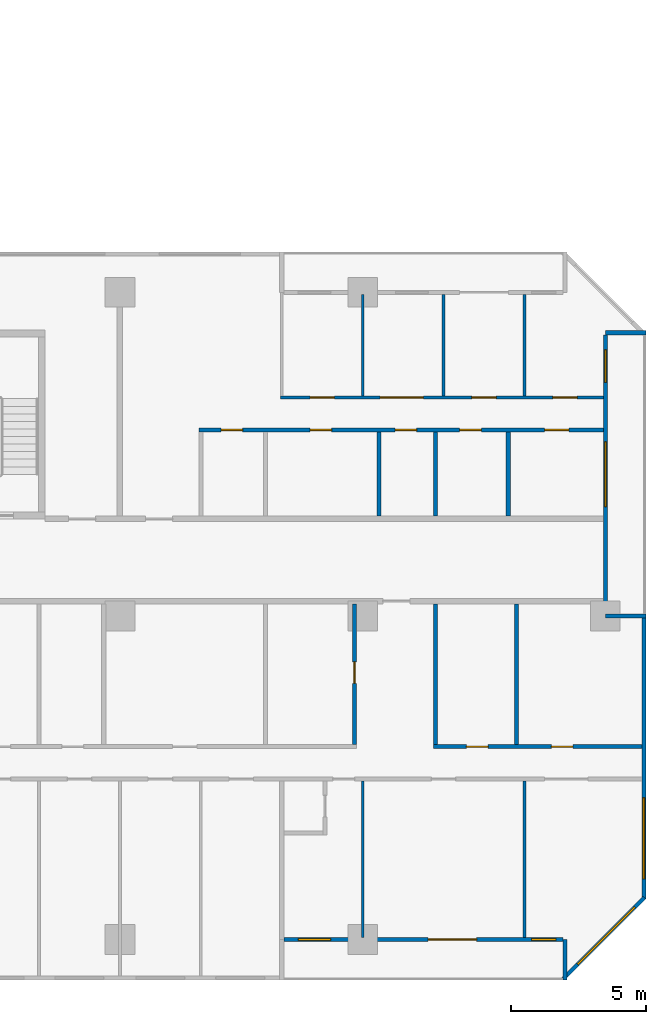
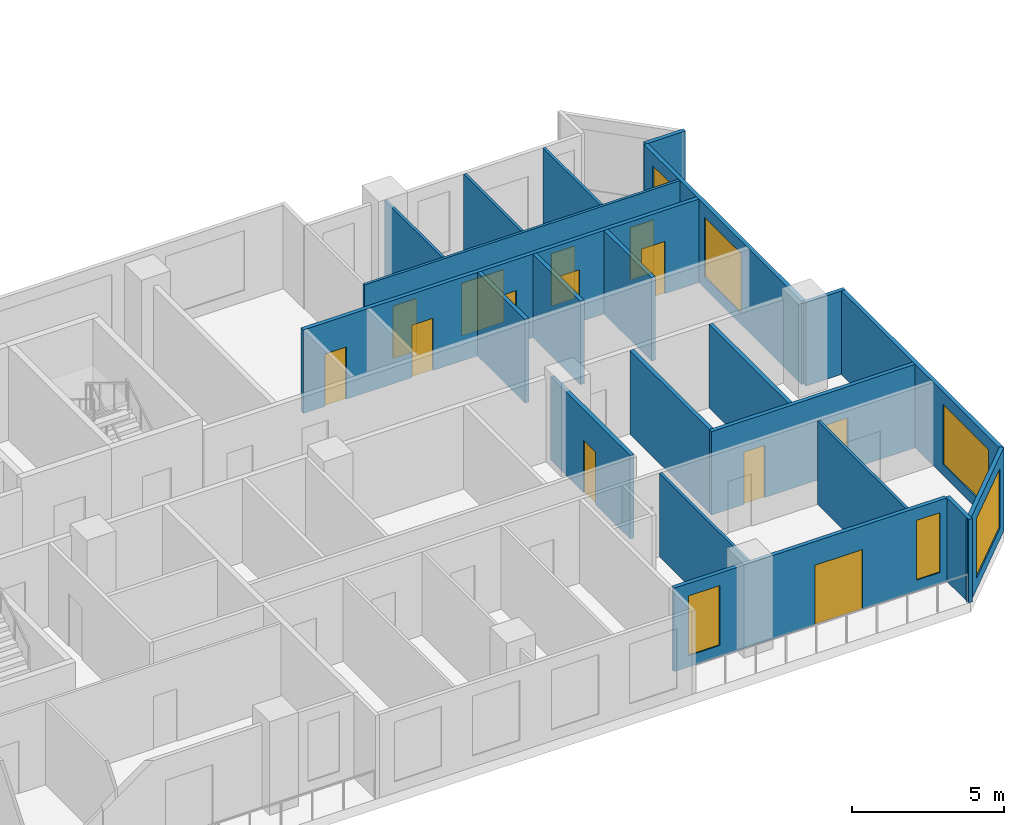
# One storey, part 12 of 16: 21 walls, 13 doors, 6 windows, 19 openings.
"""IFC4 building model written with IfcOpenShell, lengths in metres."""

from ifc_helpers import new_model, si_unit, direction, frame, frame_2d, origin, place, context, subcontext, project, spatial, rectangle, extrude, material, layer, layer_set, type_object, element, fill, save


model = new_model("IFC4")

# Units and contexts
model_context = context("Model", 3, precision=1e-05, world=origin(), true_north=direction((0.0, 1.0)))
body_context = subcontext(model_context, "Body", "Model", "MODEL_VIEW")
ifc_project = project(units=[si_unit("LENGTHUNIT", "METRE"), si_unit("AREAUNIT", "SQUARE_METRE"), si_unit("VOLUMEUNIT", "CUBIC_METRE"), si_unit("PLANEANGLEUNIT", "RADIAN"), si_unit("MASSUNIT", "GRAM", prefix="KILO")], contexts=[model_context])

# Site, building, storey
site_placement = place(None, origin())
site = spatial("IfcSite", under=ifc_project, at=site_placement, CompositionType="ELEMENT")
building_placement = place(site_placement, origin())
building = spatial("IfcBuilding", under=site, at=building_placement, Name="Chenar Terraces", CompositionType="ELEMENT")
storey_placement = place(building_placement, frame((0.0, 0.0, 75.14990234375)))
storey = spatial("IfcBuildingStorey", under=building, at=storey_placement, Name="L16", CompositionType="ELEMENT", Elevation=75.14990234375)

# Wall, opening, window
ifc_material_1 = material(Name="Aluminium framed glazing", Category="aluminium")
ifc_layer_1 = layer(ifc_material_1, 0.14990234375)
ifc_layer_set_1 = layer_set([ifc_layer_1], Name="Aluminium framed glazing")
wall_type_1 = type_object("IfcWallType", Name="Glazed flush facade wall 150", PredefinedType="SOLIDWALL", material=ifc_layer_set_1)
wall_1_placement = place(storey_placement, frame((73.425048828125, 1.5, 0.0), z_axis=(0.0, 0.0, 1.0), x_axis=(0.0, 1.0, 0.0)))
wall_1 = element("IfcWall", 1, at=wall_1_placement, inside=storey, type_object=wall_type_1, Name="Glazed flush facade wall", PredefinedType="SOLIDWALL", context=body_context, shape_type="SweptSolid", body=[
    extrude(rectangle(XDim=10.425048828125, YDim=0.14990234375, at=frame_2d((5.21240234375, 0.0))), origin(), (0.0, 0.0, 1.0), 3.35009765625),
])
opening_1_placement = place(wall_1_placement, frame((0.75, 0.0, 0.449951171875)))
opening_1 = element("IfcOpeningElement", 2, at=opening_1_placement, cuts=wall_1, Name="Opening W300x240", PredefinedType="OPENING", context=body_context, shape_type="SweptSolid", body=[
    extrude(rectangle(XDim=3.0, YDim=2.39990234375, at=frame_2d((1.5, 1.199951171875))), frame((0.0, 0.0849609375, 0.0), z_axis=(0.0, -1.0, 0.0), x_axis=(1.0, 0.0, 0.0)), (0.0, 0.0, 1.0), 0.169921875),
])
ifc_material_2 = material(Name="Low emissivity double glazing, aluminium frame", Category="aluminium")
window_type_1 = type_object("IfcWindowType", Name="Fixed light 3000 x 2400", PartitioningType="SINGLE_PANEL", PredefinedType="WINDOW", material=ifc_material_2)
window_1_placement = place(opening_1_placement, origin())
window_1 = element("IfcWindow", 3, at=window_1_placement, inside=storey, type_object=window_type_1, Name="Window", OverallHeight=2.39990234375, OverallWidth=3.0, PartitioningType="SINGLE_PANEL", PredefinedType="WINDOW", context=body_context, shape_type="SweptSolid", body=[
    extrude(rectangle(XDim=3.0, YDim=2.39990234375, at=frame_2d((1.5, 1.199951171875))), frame((0.0, 0.030029296875, 0.0), z_axis=(0.0, -1.0, 0.0), x_axis=(1.0, 0.0, 0.0)), (0.0, 0.0, 1.0), 0.06005859375),
])
fill(opening_1, window_1)

# Wall, openings, windows, door
ifc_material_3 = material(Name="Aluminium framed glazing", Category="aluminium")
ifc_layer_2 = layer(ifc_material_3, 0.14990234375)
ifc_layer_set_2 = layer_set([ifc_layer_2], Name="Aluminium framed glazing")
wall_type_2 = type_object("IfcWallType", Name="Glazed loggia back wall 150", PredefinedType="SOLIDWALL", material=ifc_layer_set_2)
wall_2_placement = place(storey_placement, frame((60.074951171875, 0.0, 0.0), z_axis=(0.0, 0.0, 1.0), x_axis=(1.0, 0.0, 0.0)))
wall_2 = element("IfcWall", 4, at=wall_2_placement, inside=storey, type_object=wall_type_2, Name="Glazed loggia back wall", PredefinedType="SOLIDWALL", context=body_context, shape_type="SweptSolid", body=[
    extrude(rectangle(XDim=10.35009765625, YDim=0.14990234375, at=frame_2d((5.175048828125, 0.0))), origin(), (0.0, 0.0, 1.0), 3.35009765625),
])
opening_2_placement = place(wall_2_placement, frame((0.53759765625, 0.0, 0.449951171875)))
opening_2 = element("IfcOpeningElement", 5, at=opening_2_placement, cuts=wall_2, Name="Opening W120x240", PredefinedType="OPENING", context=body_context, shape_type="SweptSolid", body=[
    extrude(rectangle(XDim=1.199951171875, YDim=2.39990234375, at=frame_2d((0.60009765625, 1.199951171875))), frame((0.0, 0.0849609375, 0.0), z_axis=(0.0, -1.0, 0.0), x_axis=(1.0, 0.0, 0.0)), (0.0, 0.0, 1.0), 0.169921875),
])
opening_3_placement = place(wall_2_placement, frame((5.35009765625, 0.0, 0.0)))
opening_3 = element("IfcOpeningElement", 6, at=opening_3_placement, cuts=wall_2, Name="Opening DL16-G7", PredefinedType="OPENING", context=body_context, shape_type="SweptSolid", body=[
    extrude(rectangle(XDim=1.800048828125, YDim=2.39990234375, at=frame_2d((0.89990234375, 1.199951171875))), frame((0.0, 0.0849609375, 0.0), z_axis=(0.0, -1.0, 0.0), x_axis=(1.0, 0.0, 0.0)), (0.0, 0.0, 1.0), 0.169921875),
])
opening_4_placement = place(wall_2_placement, frame((9.1875, 0.0, 0.449951171875)))
opening_4 = element("IfcOpeningElement", 7, at=opening_4_placement, cuts=wall_2, Name="Opening W90x240", PredefinedType="OPENING", context=body_context, shape_type="SweptSolid", body=[
    extrude(rectangle(XDim=0.89990234375, YDim=2.39990234375, at=frame_2d((0.449951171875, 1.199951171875))), frame((0.0, 0.0849609375, 0.0), z_axis=(0.0, -1.0, 0.0), x_axis=(1.0, 0.0, 0.0)), (0.0, 0.0, 1.0), 0.169921875),
])
ifc_material_4 = material(Name="Low emissivity double glazing, aluminium frame", Category="aluminium")
window_type_2 = type_object("IfcWindowType", Name="Fixed light 1200 x 2400", PartitioningType="SINGLE_PANEL", PredefinedType="WINDOW", material=ifc_material_4)
window_2_placement = place(opening_2_placement, origin())
window_2 = element("IfcWindow", 8, at=window_2_placement, inside=storey, type_object=window_type_2, Name="Window", OverallHeight=2.39990234375, OverallWidth=1.199951171875, PartitioningType="SINGLE_PANEL", PredefinedType="WINDOW", context=body_context, shape_type="SweptSolid", body=[
    extrude(rectangle(XDim=1.199951171875, YDim=2.39990234375, at=frame_2d((0.60009765625, 1.199951171875))), frame((0.0, 0.030029296875, 0.0), z_axis=(0.0, -1.0, 0.0), x_axis=(1.0, 0.0, 0.0)), (0.0, 0.0, 1.0), 0.06005859375),
])
fill(opening_2, window_2)
ifc_material_5 = material(Name="Low emissivity double glazing, aluminium frame", Category="aluminium")
window_type_3 = type_object("IfcWindowType", Name="Fixed light 900 x 2400", PartitioningType="SINGLE_PANEL", PredefinedType="WINDOW", material=ifc_material_5)
window_3_placement = place(opening_4_placement, origin())
window_3 = element("IfcWindow", 9, at=window_3_placement, inside=storey, type_object=window_type_3, Name="Window", OverallHeight=2.39990234375, OverallWidth=0.89990234375, PartitioningType="SINGLE_PANEL", PredefinedType="WINDOW", context=body_context, shape_type="SweptSolid", body=[
    extrude(rectangle(XDim=0.89990234375, YDim=2.39990234375, at=frame_2d((0.449951171875, 1.199951171875))), frame((0.0, 0.030029296875, 0.0), z_axis=(0.0, -1.0, 0.0), x_axis=(1.0, 0.0, 0.0)), (0.0, 0.0, 1.0), 0.06005859375),
])
fill(opening_4, window_3)
ifc_material_6 = material(Name="Low emissivity double glazing, aluminium frame", Category="aluminium")
door_type_1 = type_object("IfcDoorType", Name="Loggia glazed double door 1800 x 2400", OperationType="DOUBLE_DOOR_SINGLE_SWING", PredefinedType="DOOR", material=ifc_material_6)
door_1_placement = place(opening_3_placement, frame((1.800048828125, 0.0, 0.0), z_axis=(0.0, 0.0, 1.0), x_axis=(-1.0, 0.0, 0.0)))
door_1 = element("IfcDoor", 10, at=door_1_placement, inside=storey, type_object=door_type_1, Name="Loggia glazed door", OperationType="DOUBLE_DOOR_SINGLE_SWING", OverallHeight=2.39990234375, OverallWidth=1.800048828125, PredefinedType="DOOR", context=body_context, shape_type="SweptSolid", body=[
    extrude(rectangle(XDim=1.800048828125, YDim=2.39990234375, at=frame_2d((0.89990234375, 1.199951171875))), frame((0.0, 0.02490234375, 0.0), z_axis=(0.0, -1.0, 0.0), x_axis=(1.0, 0.0, 0.0)), (0.0, 0.0, 1.0), 0.050048828125),
])
fill(opening_3, door_1)

# Wall, openings, windows
wall_3_placement = place(storey_placement, frame((72.0, 12.074951171875, 0.0), z_axis=(0.0, 0.0, 1.0), x_axis=(0.0, 1.0, 0.0)))
wall_3 = element("IfcWall", 11, at=wall_3_placement, inside=storey, type_object=wall_type_2, Name="Glazed loggia back wall", PredefinedType="SOLIDWALL", context=body_context, shape_type="SweptSolid", body=[
    extrude(rectangle(XDim=10.35009765625, YDim=0.14990234375, at=frame_2d((5.175048828125, 0.0))), origin(), (0.0, 0.0, 1.0), 3.35009765625),
])
opening_5_placement = place(wall_3_placement, frame((3.97509765625, 0.0, 0.449951171875)))
opening_5 = element("IfcOpeningElement", 12, at=opening_5_placement, cuts=wall_3, Name="Opening W240x240", PredefinedType="OPENING", context=body_context, shape_type="SweptSolid", body=[
    extrude(rectangle(XDim=2.39990234375, YDim=2.39990234375, at=frame_2d((1.199951171875, 1.199951171875))), frame((0.0, 0.0849609375, 0.0), z_axis=(0.0, -1.0, 0.0), x_axis=(1.0, 0.0, 0.0)), (0.0, 0.0, 1.0), 0.169921875),
])
opening_6_placement = place(wall_3_placement, frame((8.58740234375, 0.0, 0.449951171875)))
opening_6 = element("IfcOpeningElement", 13, at=opening_6_placement, cuts=wall_3, Name="Opening W120x240", PredefinedType="OPENING", context=body_context, shape_type="SweptSolid", body=[
    extrude(rectangle(XDim=1.199951171875, YDim=2.39990234375, at=frame_2d((0.60009765625, 1.199951171875))), frame((0.0, 0.0849609375, 0.0), z_axis=(0.0, -1.0, 0.0), x_axis=(1.0, 0.0, 0.0)), (0.0, 0.0, 1.0), 0.169921875),
])
window_4_placement = place(opening_6_placement, origin())
window_4 = element("IfcWindow", 14, at=window_4_placement, inside=storey, type_object=window_type_2, Name="Window", OverallHeight=2.39990234375, OverallWidth=1.199951171875, PartitioningType="SINGLE_PANEL", PredefinedType="WINDOW", context=body_context, shape_type="SweptSolid", body=[
    extrude(rectangle(XDim=1.199951171875, YDim=2.39990234375, at=frame_2d((0.60009765625, 1.199951171875))), frame((0.0, 0.030029296875, 0.0), z_axis=(0.0, -1.0, 0.0), x_axis=(1.0, 0.0, 0.0)), (0.0, 0.0, 1.0), 0.06005859375),
])
fill(opening_6, window_4)
ifc_material_7 = material(Name="Low emissivity double glazing, aluminium frame", Category="aluminium")
window_type_4 = type_object("IfcWindowType", Name="Fixed light 2400 x 2400", PartitioningType="SINGLE_PANEL", PredefinedType="WINDOW", material=ifc_material_7)
window_5_placement = place(opening_5_placement, origin())
window_5 = element("IfcWindow", 15, at=window_5_placement, inside=storey, type_object=window_type_4, Name="Window", OverallHeight=2.39990234375, OverallWidth=2.39990234375, PartitioningType="SINGLE_PANEL", PredefinedType="WINDOW", context=body_context, shape_type="SweptSolid", body=[
    extrude(rectangle(XDim=2.39990234375, YDim=2.39990234375, at=frame_2d((1.199951171875, 1.199951171875))), frame((0.0, 0.030029296875, 0.0), z_axis=(0.0, -1.0, 0.0), x_axis=(1.0, 0.0, 0.0)), (0.0, 0.0, 1.0), 0.06005859375),
])
fill(opening_5, window_5)

# Wall, openings, doors
ifc_material_8 = material(Name="Gypsum board on steel studs", Category="steel")
ifc_layer_3 = layer(ifc_material_8, 0.10009765625)
ifc_layer_set_3 = layer_set([ifc_layer_3], Name="Gypsum board on steel studs")
wall_type_3 = type_object("IfcWallType", Name="Gypsum partition 100", PredefinedType="PARTITIONING", material=ifc_layer_set_3)
wall_4_placement = place(storey_placement, frame((59.949951171875, 20.10009765625, 0.0), z_axis=(0.0, 0.0, 1.0), x_axis=(1.0, 0.0, 0.0)))
wall_4 = element("IfcWall", 16, at=wall_4_placement, inside=storey, type_object=wall_type_3, Name="Partition L16-088", PredefinedType="PARTITIONING", context=body_context, shape_type="SweptSolid", body=[
    extrude(rectangle(XDim=11.97607421875, YDim=0.10009765625, at=frame_2d((5.988037109375, 0.0))), origin(), (0.0, 0.0, 1.0), 3.35009765625),
])
opening_7_placement = place(wall_4_placement, frame((1.10009765625, 0.0, 0.0)))
opening_7 = element("IfcOpeningElement", 17, at=opening_7_placement, cuts=wall_4, Name="Opening DL16-5", PredefinedType="OPENING", context=body_context, shape_type="SweptSolid", body=[
    extrude(rectangle(XDim=0.89990234375, YDim=2.10009765625, at=frame_2d((0.449951171875, 1.050048828125))), frame((0.0, 0.06005859375, 0.0), z_axis=(0.0, -1.0, 0.0), x_axis=(1.0, 0.0, 0.0)), (0.0, 0.0, 1.0), 0.1201171875),
])
opening_8_placement = place(wall_4_placement, frame((7.10009765625, 0.0, 0.0)))
opening_8 = element("IfcOpeningElement", 18, at=opening_8_placement, cuts=wall_4, Name="Opening DL16-6", PredefinedType="OPENING", context=body_context, shape_type="SweptSolid", body=[
    extrude(rectangle(XDim=0.89990234375, YDim=2.10009765625, at=frame_2d((0.449951171875, 1.050048828125))), frame((0.0, 0.06005859375, 0.0), z_axis=(0.0, -1.0, 0.0), x_axis=(1.0, 0.0, 0.0)), (0.0, 0.0, 1.0), 0.1201171875),
])
opening_9_placement = place(wall_4_placement, frame((10.10009765625, 0.0, 0.0)))
opening_9 = element("IfcOpeningElement", 19, at=opening_9_placement, cuts=wall_4, Name="Opening DL16-7", PredefinedType="OPENING", context=body_context, shape_type="SweptSolid", body=[
    extrude(rectangle(XDim=0.89990234375, YDim=2.10009765625, at=frame_2d((0.449951171875, 1.050048828125))), frame((0.0, 0.06005859375, 0.0), z_axis=(0.0, -1.0, 0.0), x_axis=(1.0, 0.0, 0.0)), (0.0, 0.0, 1.0), 0.1201171875),
])
opening_10_placement = place(wall_4_placement, frame((3.699951171875, 0.0, 0.0)))
opening_10 = element("IfcOpeningElement", 20, at=opening_10_placement, cuts=wall_4, Name="Opening DL16-11", PredefinedType="OPENING", context=body_context, shape_type="SweptSolid", body=[
    extrude(rectangle(XDim=1.60009765625, YDim=2.10009765625, at=frame_2d((0.800048828125, 1.050048828125))), frame((0.0, 0.06005859375, 0.0), z_axis=(0.0, -1.0, 0.0), x_axis=(1.0, 0.0, 0.0)), (0.0, 0.0, 1.0), 0.1201171875),
])
ifc_material_9 = material(Name="Veneered timber door leaf", Category="wood")
door_type_2 = type_object("IfcDoorType", Name="Door 900 x 2100", OperationType="SINGLE_SWING_LEFT", PredefinedType="DOOR", material=ifc_material_9)
door_2_placement = place(opening_7_placement, origin())
door_2 = element("IfcDoor", 21, at=door_2_placement, inside=storey, type_object=door_type_2, Name="Door DL16-5", OperationType="SINGLE_SWING_LEFT", OverallHeight=2.10009765625, OverallWidth=0.89990234375, PredefinedType="DOOR", context=body_context, shape_type="SweptSolid", body=[
    extrude(rectangle(XDim=0.89990234375, YDim=2.10009765625, at=frame_2d((0.449951171875, 1.050048828125))), frame((0.0, 0.02490234375, 0.0), z_axis=(0.0, -1.0, 0.0), x_axis=(1.0, 0.0, 0.0)), (0.0, 0.0, 1.0), 0.050048828125),
])
fill(opening_7, door_2)
door_3_placement = place(opening_8_placement, origin())
door_3 = element("IfcDoor", 22, at=door_3_placement, inside=storey, type_object=door_type_2, Name="Door DL16-6", OperationType="SINGLE_SWING_LEFT", OverallHeight=2.10009765625, OverallWidth=0.89990234375, PredefinedType="DOOR", context=body_context, shape_type="SweptSolid", body=[
    extrude(rectangle(XDim=0.89990234375, YDim=2.10009765625, at=frame_2d((0.449951171875, 1.050048828125))), frame((0.0, 0.02490234375, 0.0), z_axis=(0.0, -1.0, 0.0), x_axis=(1.0, 0.0, 0.0)), (0.0, 0.0, 1.0), 0.050048828125),
])
fill(opening_8, door_3)
door_4_placement = place(opening_9_placement, origin())
door_4 = element("IfcDoor", 23, at=door_4_placement, inside=storey, type_object=door_type_2, Name="Door DL16-7", OperationType="SINGLE_SWING_LEFT", OverallHeight=2.10009765625, OverallWidth=0.89990234375, PredefinedType="DOOR", context=body_context, shape_type="SweptSolid", body=[
    extrude(rectangle(XDim=0.89990234375, YDim=2.10009765625, at=frame_2d((0.449951171875, 1.050048828125))), frame((0.0, 0.02490234375, 0.0), z_axis=(0.0, -1.0, 0.0), x_axis=(1.0, 0.0, 0.0)), (0.0, 0.0, 1.0), 0.050048828125),
])
fill(opening_9, door_4)
ifc_material_10 = material(Name="Veneered timber door leaf", Category="wood")
door_type_3 = type_object("IfcDoorType", Name="Double door 1600 x 2100", OperationType="DOUBLE_DOOR_SINGLE_SWING", PredefinedType="DOOR", material=ifc_material_10)
door_5_placement = place(opening_10_placement, origin())
door_5 = element("IfcDoor", 24, at=door_5_placement, inside=storey, type_object=door_type_3, Name="Door DL16-11", OperationType="DOUBLE_DOOR_SINGLE_SWING", OverallHeight=2.10009765625, OverallWidth=1.60009765625, PredefinedType="DOOR", context=body_context, shape_type="SweptSolid", body=[
    extrude(rectangle(XDim=1.60009765625, YDim=2.10009765625, at=frame_2d((0.800048828125, 1.050048828125))), frame((0.0, 0.02490234375, 0.0), z_axis=(0.0, -1.0, 0.0), x_axis=(1.0, 0.0, 0.0)), (0.0, 0.0, 1.0), 0.050048828125),
])
fill(opening_10, door_5)

# Walls
wall_5_placement = place(storey_placement, frame((63.0, 0.073974609375, 0.0), z_axis=(0.0, 0.0, 1.0), x_axis=(0.0, 1.0, 0.0)))
element("IfcWall", 25, at=wall_5_placement, inside=storey, type_object=wall_type_3, Name="Partition L16-094", PredefinedType="PARTITIONING", context=body_context, shape_type="SweptSolid", body=[
    extrude(rectangle(XDim=5.801025390625, YDim=0.10009765625, at=frame_2d((2.900390625, 0.0))), origin(), (0.0, 0.0, 1.0), 3.35009765625),
])
for number, where, z_axis, x_axis, name in (
    (26, (63.0, 20.14990234375, 0.0), (0.0, 0.0, 1.0), (0.0, 1.0, 0.0), "Partition L16-095"),
    (27, (66.0, 20.14990234375, 0.0), (0.0, 0.0, 1.0), (0.0, 1.0, 0.0), "Partition L16-100"),
):
    element("IfcWall", number, at=place(storey_placement, frame(where, z_axis=z_axis, x_axis=x_axis)), inside=storey, type_object=wall_type_3, Name=name, PredefinedType="PARTITIONING", context=body_context, shape_type="SweptSolid", body=[
        extrude(rectangle(XDim=3.776123046875, YDim=0.10009765625, at=frame_2d((1.88818359375, 0.0))), origin(), (0.0, 0.0, 1.0), 3.35009765625),
    ])
wall_6_placement = place(storey_placement, frame((69.0, 0.073974609375, 0.0), z_axis=(0.0, 0.0, 1.0), x_axis=(0.0, 1.0, 0.0)))
element("IfcWall", 28, at=wall_6_placement, inside=storey, type_object=wall_type_3, Name="Partition L16-103", PredefinedType="PARTITIONING", context=body_context, shape_type="SweptSolid", body=[
    extrude(rectangle(XDim=5.801025390625, YDim=0.10009765625, at=frame_2d((2.900390625, 0.0))), origin(), (0.0, 0.0, 1.0), 3.35009765625),
])
wall_7_placement = place(storey_placement, frame((69.0, 20.14990234375, 0.0), z_axis=(0.0, 0.0, 1.0), x_axis=(0.0, 1.0, 0.0)))
element("IfcWall", 29, at=wall_7_placement, inside=storey, type_object=wall_type_3, Name="Partition L16-104", PredefinedType="PARTITIONING", context=body_context, shape_type="SweptSolid", body=[
    extrude(rectangle(XDim=3.776123046875, YDim=0.10009765625, at=frame_2d((1.88818359375, 0.0))), origin(), (0.0, 0.0, 1.0), 3.35009765625),
])
ifc_material_11 = material(Name="Terracotta cladding on insulated backing", Category="masonry")
ifc_layer_4 = layer(ifc_material_11, 0.14990234375)
ifc_layer_set_4 = layer_set([ifc_layer_4], Name="Terracotta cladding on insulated backing")
wall_type_4 = type_object("IfcWallType", Name="Loggia return wall 150", PredefinedType="SOLIDWALL", material=ifc_layer_set_4)
for number, where, z_axis, x_axis, name in (
    (30, (70.5, -1.5, 0.0), (0.0, 0.0, 1.0), (0.0, 1.0, 0.0), "Loggia return wall"),
    (31, (73.5, 12.0, 0.0), (0.0, 0.0, 1.0), (-1.0, 0.0, 0.0), "Loggia return wall"),
    (32, (73.5, 22.5, 0.0), (0.0, 0.0, 1.0), (-1.0, 0.0, 0.0), "Loggia return wall"),
):
    element("IfcWall", number, at=place(storey_placement, frame(where, z_axis=z_axis, x_axis=x_axis)), inside=storey, type_object=wall_type_4, Name=name, PredefinedType="SOLIDWALL", context=body_context, shape_type="SweptSolid", body=[
        extrude(rectangle(XDim=1.5, YDim=0.14990234375, at=frame_2d((0.75, 0.0))), origin(), (0.0, 0.0, 1.0), 3.35009765625),
    ])

# Wall, opening, window
ifc_material_12 = material(Name="Terracotta cladding on insulated backing", Category="masonry")
ifc_layer_5 = layer(ifc_material_12, 0.14990234375)
ifc_layer_set_5 = layer_set([ifc_layer_5], Name="Terracotta cladding on insulated backing")
wall_type_5 = type_object("IfcWallType", Name="Terracotta rainscreen wall 150", PredefinedType="SOLIDWALL", material=ifc_layer_set_5)
wall_8_placement = place(storey_placement, frame((70.447021484375, -1.447021484375, 0.0), z_axis=(0.0, 0.0, 1.0), x_axis=(0.707106781187, 0.707106781187, 0.0)))
wall_8 = element("IfcWall", 33, at=wall_8_placement, inside=storey, type_object=wall_type_5, Name="Terracotta rainscreen wall", PredefinedType="SOLIDWALL", context=body_context, shape_type="SweptSolid", body=[
    extrude(rectangle(XDim=4.24267578125, YDim=0.14990234375, at=frame_2d((2.121337890625, 0.0))), origin(), (0.0, 0.0, 1.0), 3.35009765625),
])
opening_11_placement = place(wall_8_placement, frame((0.744384765625, 0.0, 0.449951171875)))
opening_11 = element("IfcOpeningElement", 34, at=opening_11_placement, cuts=wall_8, Name="Opening W300x240", PredefinedType="OPENING", context=body_context, shape_type="SweptSolid", body=[
    extrude(rectangle(XDim=3.0, YDim=2.39990234375, at=frame_2d((1.5, 1.199951171875))), frame((0.0, 0.0849609375, 0.0), z_axis=(0.0, -1.0, 0.0), x_axis=(1.0, 0.0, 0.0)), (0.0, 0.0, 1.0), 0.169921875),
])
window_6_placement = place(opening_11_placement, origin())
window_6 = element("IfcWindow", 35, at=window_6_placement, inside=storey, type_object=window_type_1, Name="Window", OverallHeight=2.39990234375, OverallWidth=3.0, PartitioningType="SINGLE_PANEL", PredefinedType="WINDOW", context=body_context, shape_type="SweptSolid", body=[
    extrude(rectangle(XDim=3.0, YDim=2.39990234375, at=frame_2d((1.5, 1.199951171875))), frame((0.0, 0.030029296875, 0.0), z_axis=(0.0, -1.0, 0.0), x_axis=(1.0, 0.0, 0.0)), (0.0, 0.0, 1.0), 0.06005859375),
])
fill(opening_11, window_6)

# Wall, openings, doors
ifc_material_13 = material(Name="Moisture-resistant gypsum board on steel studs", Category="steel")
ifc_layer_6 = layer(ifc_material_13, 0.14990234375)
ifc_layer_set_6 = layer_set([ifc_layer_6], Name="Moisture-resistant gypsum board on steel studs")
wall_type_6 = type_object("IfcWallType", Name="Wet-room partition 150", PredefinedType="PARTITIONING", material=ifc_layer_set_6)
wall_9_placement = place(storey_placement, frame((56.925048828125, 18.89990234375, 0.0), z_axis=(0.0, 0.0, 1.0), x_axis=(1.0, 0.0, 0.0)))
wall_9 = element("IfcWall", 36, at=wall_9_placement, inside=storey, type_object=wall_type_6, Name="Partition L16-083", PredefinedType="PARTITIONING", context=body_context, shape_type="SweptSolid", body=[
    extrude(rectangle(XDim=15.0009765625, YDim=0.14990234375, at=frame_2d((7.50048828125, 0.0))), origin(), (0.0, 0.0, 1.0), 3.35009765625),
])
opening_12_placement = place(wall_9_placement, frame((4.125, 0.0, 0.0)))
opening_12 = element("IfcOpeningElement", 37, at=opening_12_placement, cuts=wall_9, Name="Opening DL16-4", PredefinedType="OPENING", context=body_context, shape_type="SweptSolid", body=[
    extrude(rectangle(XDim=0.800048828125, YDim=2.10009765625, at=frame_2d((0.39990234375, 1.050048828125))), frame((0.0, 0.0849609375, 0.0), z_axis=(0.0, -1.0, 0.0), x_axis=(1.0, 0.0, 0.0)), (0.0, 0.0, 1.0), 0.169921875),
])
opening_13_placement = place(wall_9_placement, frame((12.824951171875, 0.0, 0.0)))
opening_13 = element("IfcOpeningElement", 38, at=opening_13_placement, cuts=wall_9, Name="Opening DL16-8", PredefinedType="OPENING", context=body_context, shape_type="SweptSolid", body=[
    extrude(rectangle(XDim=0.89990234375, YDim=2.10009765625, at=frame_2d((0.449951171875, 1.050048828125))), frame((0.0, 0.0849609375, 0.0), z_axis=(0.0, -1.0, 0.0), x_axis=(1.0, 0.0, 0.0)), (0.0, 0.0, 1.0), 0.169921875),
])
opening_14_placement = place(wall_9_placement, frame((9.675048828125, 0.0, 0.0)))
opening_14 = element("IfcOpeningElement", 39, at=opening_14_placement, cuts=wall_9, Name="Opening DL16-9", PredefinedType="OPENING", context=body_context, shape_type="SweptSolid", body=[
    extrude(rectangle(XDim=0.800048828125, YDim=2.10009765625, at=frame_2d((0.39990234375, 1.050048828125))), frame((0.0, 0.0849609375, 0.0), z_axis=(0.0, -1.0, 0.0), x_axis=(1.0, 0.0, 0.0)), (0.0, 0.0, 1.0), 0.169921875),
])
opening_15_placement = place(wall_9_placement, frame((0.824951171875, 0.0, 0.0)))
opening_15 = element("IfcOpeningElement", 40, at=opening_15_placement, cuts=wall_9, Name="Opening DL16-12", PredefinedType="OPENING", context=body_context, shape_type="SweptSolid", body=[
    extrude(rectangle(XDim=0.800048828125, YDim=2.10009765625, at=frame_2d((0.39990234375, 1.050048828125))), frame((0.0, 0.0849609375, 0.0), z_axis=(0.0, -1.0, 0.0), x_axis=(1.0, 0.0, 0.0)), (0.0, 0.0, 1.0), 0.169921875),
])
opening_16_placement = place(wall_9_placement, frame((7.27490234375, 0.0, 0.0)))
opening_16 = element("IfcOpeningElement", 41, at=opening_16_placement, cuts=wall_9, Name="Opening DL16-13", PredefinedType="OPENING", context=body_context, shape_type="SweptSolid", body=[
    extrude(rectangle(XDim=0.800048828125, YDim=2.10009765625, at=frame_2d((0.39990234375, 1.050048828125))), frame((0.0, 0.0849609375, 0.0), z_axis=(0.0, -1.0, 0.0), x_axis=(1.0, 0.0, 0.0)), (0.0, 0.0, 1.0), 0.169921875),
])
ifc_material_14 = material(Name="Veneered timber door leaf", Category="wood")
door_type_4 = type_object("IfcDoorType", Name="Door 800 x 2100", OperationType="SINGLE_SWING_LEFT", PredefinedType="DOOR", material=ifc_material_14)
door_6_placement = place(opening_12_placement, frame((0.800048828125, 0.0, 0.0), z_axis=(0.0, 0.0, 1.0), x_axis=(-1.0, 0.0, 0.0)))
door_6 = element("IfcDoor", 42, at=door_6_placement, inside=storey, type_object=door_type_4, Name="Door DL16-4", OperationType="SINGLE_SWING_RIGHT", OverallHeight=2.10009765625, OverallWidth=0.800048828125, PredefinedType="DOOR", context=body_context, shape_type="SweptSolid", body=[
    extrude(rectangle(XDim=0.800048828125, YDim=2.10009765625, at=frame_2d((0.39990234375, 1.050048828125))), frame((0.0, 0.02490234375, 0.0), z_axis=(0.0, -1.0, 0.0), x_axis=(1.0, 0.0, 0.0)), (0.0, 0.0, 1.0), 0.050048828125),
])
fill(opening_12, door_6)
door_7_placement = place(opening_14_placement, frame((0.800048828125, 0.0, 0.0), z_axis=(0.0, 0.0, 1.0), x_axis=(-1.0, 0.0, 0.0)))
door_7 = element("IfcDoor", 43, at=door_7_placement, inside=storey, type_object=door_type_4, Name="Door DL16-9", OperationType="SINGLE_SWING_RIGHT", OverallHeight=2.10009765625, OverallWidth=0.800048828125, PredefinedType="DOOR", context=body_context, shape_type="SweptSolid", body=[
    extrude(rectangle(XDim=0.800048828125, YDim=2.10009765625, at=frame_2d((0.39990234375, 1.050048828125))), frame((0.0, 0.02490234375, 0.0), z_axis=(0.0, -1.0, 0.0), x_axis=(1.0, 0.0, 0.0)), (0.0, 0.0, 1.0), 0.050048828125),
])
fill(opening_14, door_7)
door_8_placement = place(opening_15_placement, frame((0.800048828125, 0.0, 0.0), z_axis=(0.0, 0.0, 1.0), x_axis=(-1.0, 0.0, 0.0)))
door_8 = element("IfcDoor", 44, at=door_8_placement, inside=storey, type_object=door_type_4, Name="Door DL16-12", OperationType="SINGLE_SWING_RIGHT", OverallHeight=2.10009765625, OverallWidth=0.800048828125, PredefinedType="DOOR", context=body_context, shape_type="SweptSolid", body=[
    extrude(rectangle(XDim=0.800048828125, YDim=2.10009765625, at=frame_2d((0.39990234375, 1.050048828125))), frame((0.0, 0.02490234375, 0.0), z_axis=(0.0, -1.0, 0.0), x_axis=(1.0, 0.0, 0.0)), (0.0, 0.0, 1.0), 0.050048828125),
])
fill(opening_15, door_8)
door_9_placement = place(opening_16_placement, frame((0.800048828125, 0.0, 0.0), z_axis=(0.0, 0.0, 1.0), x_axis=(-1.0, 0.0, 0.0)))
door_9 = element("IfcDoor", 45, at=door_9_placement, inside=storey, type_object=door_type_4, Name="Door DL16-13", OperationType="SINGLE_SWING_RIGHT", OverallHeight=2.10009765625, OverallWidth=0.800048828125, PredefinedType="DOOR", context=body_context, shape_type="SweptSolid", body=[
    extrude(rectangle(XDim=0.800048828125, YDim=2.10009765625, at=frame_2d((0.39990234375, 1.050048828125))), frame((0.0, 0.02490234375, 0.0), z_axis=(0.0, -1.0, 0.0), x_axis=(1.0, 0.0, 0.0)), (0.0, 0.0, 1.0), 0.050048828125),
])
fill(opening_16, door_9)
door_10_placement = place(opening_13_placement, frame((0.89990234375, 0.0, 0.0), z_axis=(0.0, 0.0, 1.0), x_axis=(-1.0, 0.0, 0.0)))
door_10 = element("IfcDoor", 46, at=door_10_placement, inside=storey, type_object=door_type_2, Name="Door DL16-8", OperationType="SINGLE_SWING_LEFT", OverallHeight=2.10009765625, OverallWidth=0.89990234375, PredefinedType="DOOR", context=body_context, shape_type="SweptSolid", body=[
    extrude(rectangle(XDim=0.89990234375, YDim=2.10009765625, at=frame_2d((0.449951171875, 1.050048828125))), frame((0.0, 0.02490234375, 0.0), z_axis=(0.0, -1.0, 0.0), x_axis=(1.0, 0.0, 0.0)), (0.0, 0.0, 1.0), 0.050048828125),
])
fill(opening_13, door_10)

# Wall, opening, door
wall_10_placement = place(storey_placement, frame((62.699951171875, 7.22509765625, 0.0), z_axis=(0.0, 0.0, 1.0), x_axis=(0.0, 1.0, 0.0)))
wall_10 = element("IfcWall", 47, at=wall_10_placement, inside=storey, type_object=wall_type_6, Name="Partition L16-093", PredefinedType="PARTITIONING", context=body_context, shape_type="SweptSolid", body=[
    extrude(rectangle(XDim=5.224853515625, YDim=0.14990234375, at=frame_2d((2.6123046875, 0.0))), origin(), (0.0, 0.0, 1.0), 3.35009765625),
])
opening_17_placement = place(wall_10_placement, frame((2.27490234375, 0.0, 0.0)))
opening_17 = element("IfcOpeningElement", 48, at=opening_17_placement, cuts=wall_10, Name="Opening DL16-22", PredefinedType="OPENING", context=body_context, shape_type="SweptSolid", body=[
    extrude(rectangle(XDim=0.800048828125, YDim=2.10009765625, at=frame_2d((0.39990234375, 1.050048828125))), frame((0.0, 0.0849609375, 0.0), z_axis=(0.0, -1.0, 0.0), x_axis=(1.0, 0.0, 0.0)), (0.0, 0.0, 1.0), 0.169921875),
])
door_11_placement = place(opening_17_placement, origin())
door_11 = element("IfcDoor", 49, at=door_11_placement, inside=storey, type_object=door_type_4, Name="Door DL16-22", OperationType="SINGLE_SWING_RIGHT", OverallHeight=2.10009765625, OverallWidth=0.800048828125, PredefinedType="DOOR", context=body_context, shape_type="SweptSolid", body=[
    extrude(rectangle(XDim=0.800048828125, YDim=2.10009765625, at=frame_2d((0.39990234375, 1.050048828125))), frame((0.0, 0.02490234375, 0.0), z_axis=(0.0, -1.0, 0.0), x_axis=(1.0, 0.0, 0.0)), (0.0, 0.0, 1.0), 0.050048828125),
])
fill(opening_17, door_11)

# Wall
wall_11_placement = place(storey_placement, frame((63.60009765625, 15.699951171875, 0.0), z_axis=(0.0, 0.0, 1.0), x_axis=(0.0, 1.0, 0.0)))
element("IfcWall", 50, at=wall_11_placement, inside=storey, type_object=wall_type_6, Name="Partition L16-096", PredefinedType="PARTITIONING", context=body_context, shape_type="SweptSolid", body=[
    extrude(rectangle(XDim=3.125, YDim=0.14990234375, at=frame_2d((1.5625, 0.0))), origin(), (0.0, 0.0, 1.0), 3.35009765625),
])

# Wall, openings, doors
wall_12_placement = place(storey_placement, frame((65.625, 7.14990234375, 0.0), z_axis=(0.0, 0.0, 1.0), x_axis=(1.0, 0.0, 0.0)))
wall_12 = element("IfcWall", 51, at=wall_12_placement, inside=storey, type_object=wall_type_6, Name="Partition L16-097", PredefinedType="PARTITIONING", context=body_context, shape_type="SweptSolid", body=[
    extrude(rectangle(XDim=7.72509765625, YDim=0.14990234375, at=frame_2d((3.862548828125, 0.0))), origin(), (0.0, 0.0, 1.0), 3.35009765625),
])
opening_18_placement = place(wall_12_placement, frame((4.375, 0.0, 0.0)))
opening_18 = element("IfcOpeningElement", 52, at=opening_18_placement, cuts=wall_12, Name="Opening DL16-23", PredefinedType="OPENING", context=body_context, shape_type="SweptSolid", body=[
    extrude(rectangle(XDim=0.800048828125, YDim=2.10009765625, at=frame_2d((0.39990234375, 1.050048828125))), frame((0.0, 0.0849609375, 0.0), z_axis=(0.0, -1.0, 0.0), x_axis=(1.0, 0.0, 0.0)), (0.0, 0.0, 1.0), 0.169921875),
])
opening_19_placement = place(wall_12_placement, frame((1.22509765625, 0.0, 0.0)))
opening_19 = element("IfcOpeningElement", 53, at=opening_19_placement, cuts=wall_12, Name="Opening DL16-28", PredefinedType="OPENING", context=body_context, shape_type="SweptSolid", body=[
    extrude(rectangle(XDim=0.800048828125, YDim=2.10009765625, at=frame_2d((0.39990234375, 1.050048828125))), frame((0.0, 0.0849609375, 0.0), z_axis=(0.0, -1.0, 0.0), x_axis=(1.0, 0.0, 0.0)), (0.0, 0.0, 1.0), 0.169921875),
])
door_12_placement = place(opening_18_placement, origin())
door_12 = element("IfcDoor", 54, at=door_12_placement, inside=storey, type_object=door_type_4, Name="Door DL16-23", OperationType="SINGLE_SWING_LEFT", OverallHeight=2.10009765625, OverallWidth=0.800048828125, PredefinedType="DOOR", context=body_context, shape_type="SweptSolid", body=[
    extrude(rectangle(XDim=0.800048828125, YDim=2.10009765625, at=frame_2d((0.39990234375, 1.050048828125))), frame((0.0, 0.02490234375, 0.0), z_axis=(0.0, -1.0, 0.0), x_axis=(1.0, 0.0, 0.0)), (0.0, 0.0, 1.0), 0.050048828125),
])
fill(opening_18, door_12)
door_13_placement = place(opening_19_placement, origin())
door_13 = element("IfcDoor", 55, at=door_13_placement, inside=storey, type_object=door_type_4, Name="Door DL16-28", OperationType="SINGLE_SWING_RIGHT", OverallHeight=2.10009765625, OverallWidth=0.800048828125, PredefinedType="DOOR", context=body_context, shape_type="SweptSolid", body=[
    extrude(rectangle(XDim=0.800048828125, YDim=2.10009765625, at=frame_2d((0.39990234375, 1.050048828125))), frame((0.0, 0.02490234375, 0.0), z_axis=(0.0, -1.0, 0.0), x_axis=(1.0, 0.0, 0.0)), (0.0, 0.0, 1.0), 0.050048828125),
])
fill(opening_19, door_13)

# Walls
wall_13_placement = place(storey_placement, frame((65.699951171875, 7.22509765625, 0.0), z_axis=(0.0, 0.0, 1.0), x_axis=(0.0, 1.0, 0.0)))
element("IfcWall", 56, at=wall_13_placement, inside=storey, type_object=wall_type_6, Name="Partition L16-098", PredefinedType="PARTITIONING", context=body_context, shape_type="SweptSolid", body=[
    extrude(rectangle(XDim=5.224853515625, YDim=0.14990234375, at=frame_2d((2.6123046875, 0.0))), origin(), (0.0, 0.0, 1.0), 3.35009765625),
])
for number, where, z_axis, x_axis, name in (
    (57, (65.699951171875, 15.699951171875, 0.0), (0.0, 0.0, 1.0), (0.0, 1.0, 0.0), "Partition L16-099"),
    (58, (68.39990234375, 15.699951171875, 0.0), (0.0, 0.0, 1.0), (0.0, 1.0, 0.0), "Partition L16-101"),
):
    element("IfcWall", number, at=place(storey_placement, frame(where, z_axis=z_axis, x_axis=x_axis)), inside=storey, type_object=wall_type_6, Name=name, PredefinedType="PARTITIONING", context=body_context, shape_type="SweptSolid", body=[
        extrude(rectangle(XDim=3.125, YDim=0.14990234375, at=frame_2d((1.5625, 0.0))), origin(), (0.0, 0.0, 1.0), 3.35009765625),
    ])
wall_14_placement = place(storey_placement, frame((68.699951171875, 7.22509765625, 0.0), z_axis=(0.0, 0.0, 1.0), x_axis=(0.0, 1.0, 0.0)))
element("IfcWall", 59, at=wall_14_placement, inside=storey, type_object=wall_type_6, Name="Partition L16-102", PredefinedType="PARTITIONING", context=body_context, shape_type="SweptSolid", body=[
    extrude(rectangle(XDim=5.224853515625, YDim=0.14990234375, at=frame_2d((2.6123046875, 0.0))), origin(), (0.0, 0.0, 1.0), 3.35009765625),
])

save(model, "model.ifc")
